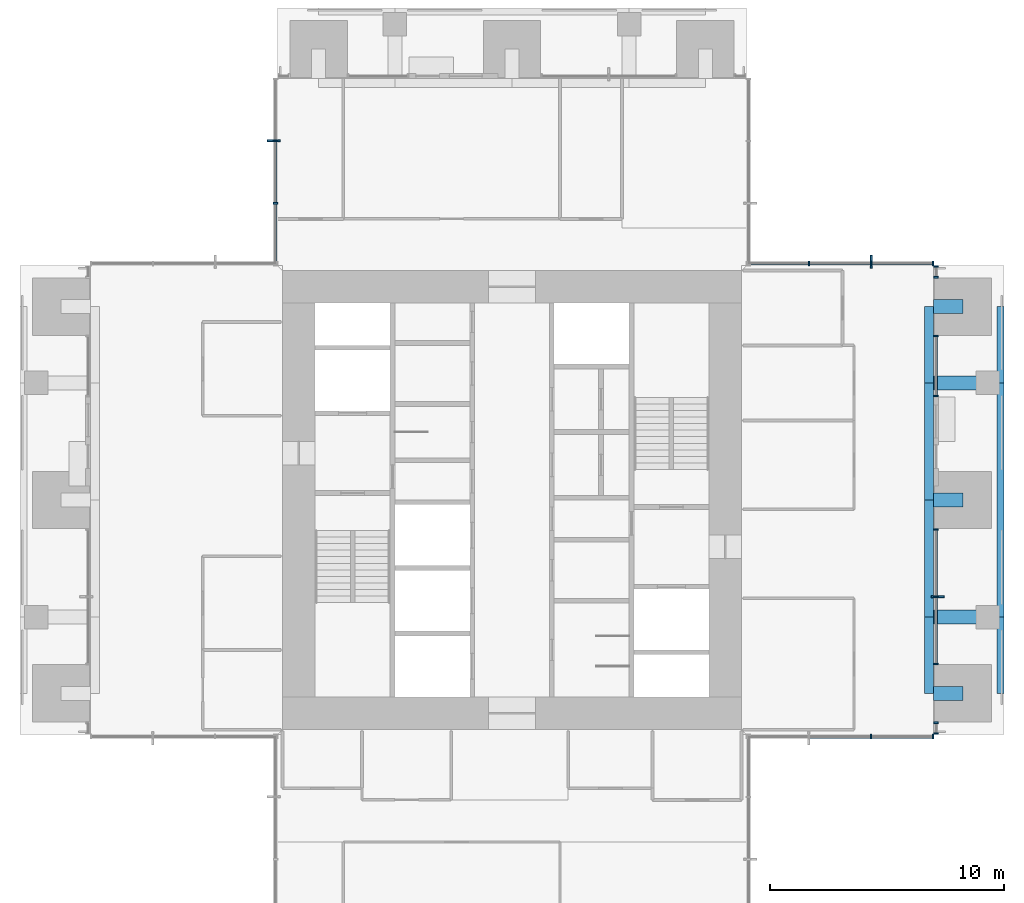
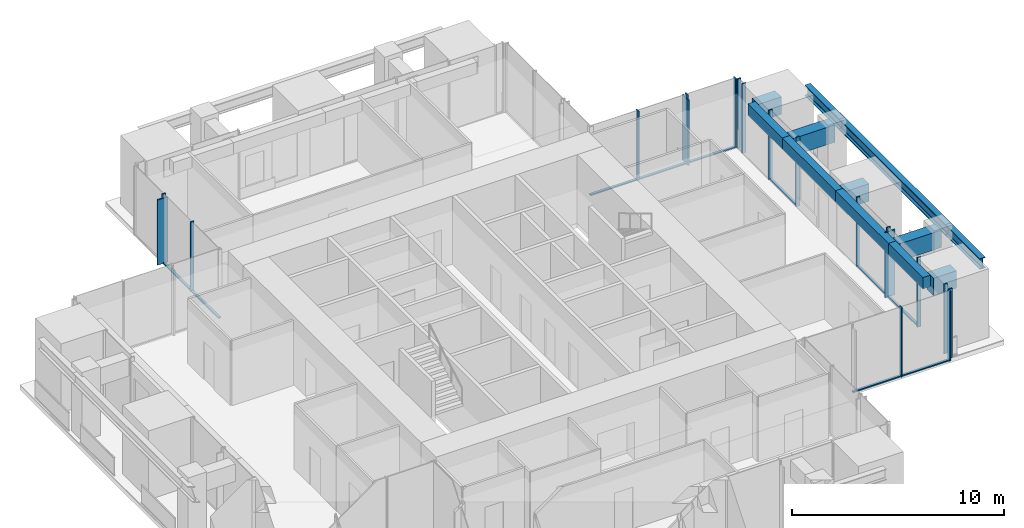
# One storey, part 4 of 17: 29 members, 12 beams, 7 elements without a shape of their own.
"""IFC4 building model written with IfcOpenShell, lengths in metres."""

from ifc_helpers import new_model, si_unit, direction, frame, origin, origin_2d, place, context, subcontext, project, spatial, rectangle, i_section, extrude, material, material_profile, profile_set, type_object, element, aggregate, save


model = new_model("IFC4")

# Units and contexts
model_context = context("Model", 3, precision=1e-05, world=origin(), true_north=direction((0.0, 1.0)))
body_context = subcontext(model_context, "Body", "Model", "MODEL_VIEW")
ifc_project = project(units=[si_unit("LENGTHUNIT", "METRE"), si_unit("AREAUNIT", "SQUARE_METRE"), si_unit("VOLUMEUNIT", "CUBIC_METRE"), si_unit("PLANEANGLEUNIT", "RADIAN"), si_unit("MASSUNIT", "GRAM", prefix="KILO")], contexts=[model_context])

# Site, building, storey
site_placement = place(None, origin())
site = spatial("IfcSite", under=ifc_project, at=site_placement, CompositionType="ELEMENT")
building_placement = place(site_placement, origin())
building = spatial("IfcBuilding", under=site, at=building_placement, Name="Svetlomir Tower", CompositionType="ELEMENT")
storey_placement = place(building_placement, frame((0.0, 0.0, 190.5)))
storey = spatial("IfcBuildingStorey", under=building, at=storey_placement, Name="L45", CompositionType="ELEMENT", Elevation=190.5)

# Curtain wall, member
ifc_material_1 = material(Name="Bronze anodised aluminium curtain wall", Category="aluminium")
curtain_wall_type = type_object("IfcCurtainWallType", Name="CURTAIN WALL CW1 TOWER OFFICE", PredefinedType="NOTDEFINED", material=ifc_material_1)
curtain_wall_1_placement = place(storey_placement, origin())
curtain_wall_1 = element("IfcCurtainWall", 1, at=curtain_wall_1_placement, inside=storey, type_object=curtain_wall_type, Name="Curtain wall CW1 L45", PredefinedType="NOTDEFINED")
ifc_material_2 = material(Name="Bronze anodised aluminium", Category="aluminium")
ifc_material_profile_1 = material_profile(ifc_material_2, rectangle(XDim=0.080078125, YDim=0.550048828125, at=origin_2d()), Name="FIN 80x550")
ifc_profile_set_1 = profile_set([ifc_material_profile_1], Name="Bronze anodised aluminium 6063-T6")
member_type_1 = type_object("IfcMemberType", Name="BRONZE FIN 80x550", PredefinedType="USERDEFINED", material=ifc_profile_set_1)
member_1_placement = place(storey_placement, frame((39.175048828125, 16.875, 0.0), z_axis=(0.0, 0.0, 1.0), x_axis=(0.0, 1.0, 0.0)))
member_1 = element("IfcMember", 2, at=member_1_placement, type_object=member_type_1, Name="Bronze fin L45", ObjectType="FIN", PredefinedType="USERDEFINED", context=body_context, shape_type="SweptSolid", body=[
    extrude(rectangle(XDim=0.080078125, YDim=0.550048828125, at=origin_2d()), origin(), (0.0, 0.0, 1.0), 3.75),
])

curtain_wall_2_placement = place(storey_placement, origin())
curtain_wall_2 = element("IfcCurtainWall", 3, at=curtain_wall_2_placement, inside=storey, type_object=curtain_wall_type, Name="Curtain wall CW1 L45", PredefinedType="NOTDEFINED")
member_2_placement = place(storey_placement, frame((36.333251953125, 31.175048828125, 0.0), z_axis=(0.0, 0.0, 1.0), x_axis=(1.0, 0.0, 0.0)))
member_2 = element("IfcMember", 4, at=member_2_placement, type_object=member_type_1, Name="Bronze fin L45", ObjectType="FIN", PredefinedType="USERDEFINED", context=body_context, shape_type="SweptSolid", body=[
    extrude(rectangle(XDim=0.080078125, YDim=0.550048828125, at=origin_2d()), origin(), (0.0, 0.0, 1.0), 3.75),
])

curtain_wall_3_placement = place(storey_placement, origin())
curtain_wall_3 = element("IfcCurtainWall", 5, at=curtain_wall_3_placement, inside=storey, type_object=curtain_wall_type, Name="Curtain wall CW1 L45", PredefinedType="NOTDEFINED")
member_3_placement = place(storey_placement, frame((10.824951171875, 36.333251953125, 0.0), z_axis=(0.0, 0.0, 1.0), x_axis=(0.0, 1.0, 0.0)))
member_3 = element("IfcMember", 6, at=member_3_placement, type_object=member_type_1, Name="Bronze fin L45", ObjectType="FIN", PredefinedType="USERDEFINED", context=body_context, shape_type="SweptSolid", body=[
    extrude(rectangle(XDim=0.080078125, YDim=0.550048828125, at=origin_2d()), origin(), (0.0, 0.0, 1.0), 3.75),
])

# Curtain wall, members
curtain_wall_4_placement = place(storey_placement, origin())
curtain_wall_4 = element("IfcCurtainWall", 7, at=curtain_wall_4_placement, inside=storey, type_object=curtain_wall_type, Name="Curtain wall CW1 L45", PredefinedType="NOTDEFINED")
ifc_material_3 = material(Name="Bronze anodised aluminium", Category="aluminium")
ifc_material_profile_2 = material_profile(ifc_material_3, rectangle(XDim=0.06494140625, YDim=0.199951171875, at=origin_2d()), Name="AL 65x200")
ifc_profile_set_2 = profile_set([ifc_material_profile_2], Name="Bronze anodised aluminium 6063-T6")
member_type_2 = type_object("IfcMemberType", Name="CW1 MULLION 65x200", PredefinedType="MULLION", material=ifc_profile_set_2)
member_4_placement = place(storey_placement, frame((36.333251953125, 10.89990234375, 0.0), z_axis=(0.0, 0.0, 1.0), x_axis=(1.0, 0.0, 0.0)))
member_4 = element("IfcMember", 8, at=member_4_placement, type_object=member_type_2, Name="CW1 mullion 3", PredefinedType="MULLION", context=body_context, shape_type="SweptSolid", body=[
    extrude(rectangle(XDim=0.06494140625, YDim=0.199951171875, at=origin_2d()), origin(), (0.0, 0.0, 1.0), 4.0),
])
member_5_placement = place(storey_placement, frame((38.967529296875, 10.89990234375, 0.0), z_axis=(0.0, 0.0, 1.0), x_axis=(1.0, 0.0, 0.0)))
member_5 = element("IfcMember", 9, at=member_5_placement, type_object=member_type_2, Name="CW1 mullion 4", PredefinedType="MULLION", context=body_context, shape_type="SweptSolid", body=[
    extrude(rectangle(XDim=0.06494140625, YDim=0.199951171875, at=origin_2d()), origin(), (0.0, 0.0, 1.0), 4.0),
])

curtain_wall_5_placement = place(storey_placement, origin())
curtain_wall_5 = element("IfcCurtainWall", 10, at=curtain_wall_5_placement, inside=storey, type_object=curtain_wall_type, Name="Curtain wall CW1 L45", PredefinedType="NOTDEFINED")
member_6_placement = place(storey_placement, frame((39.10009765625, 11.032470703125, 0.0), z_axis=(0.0, 0.0, 1.0), x_axis=(0.0, 1.0, 0.0)))
member_6 = element("IfcMember", 11, at=member_6_placement, type_object=member_type_2, Name="CW1 mullion 1", PredefinedType="MULLION", context=body_context, shape_type="SweptSolid", body=[
    extrude(rectangle(XDim=0.06494140625, YDim=0.199951171875, at=origin_2d()), origin(), (0.0, 0.0, 1.0), 4.0),
])
member_7_placement = place(storey_placement, frame((39.10009765625, 11.492431640625, 0.0), z_axis=(0.0, 0.0, 1.0), x_axis=(0.0, 1.0, 0.0)))
member_7 = element("IfcMember", 12, at=member_7_placement, type_object=member_type_2, Name="CW1 mullion 2", PredefinedType="MULLION", context=body_context, shape_type="SweptSolid", body=[
    extrude(rectangle(XDim=0.06494140625, YDim=0.199951171875, at=origin_2d()), origin(), (0.0, 0.0, 1.0), 4.0),
])
aggregate(curtain_wall_5, [member_6, member_7])

# Member
member_8_placement = place(storey_placement, frame((39.10009765625, 14.007568359375, 0.0), z_axis=(0.0, 0.0, 1.0), x_axis=(0.0, 1.0, 0.0)))
member_8 = element("IfcMember", 13, at=member_8_placement, type_object=member_type_2, Name="CW1 mullion 1", PredefinedType="MULLION", context=body_context, shape_type="SweptSolid", body=[
    extrude(rectangle(XDim=0.06494140625, YDim=0.199951171875, at=origin_2d()), origin(), (0.0, 0.0, 1.0), 4.0),
])

member_9_placement = place(storey_placement, frame((39.10009765625, 16.875, 0.0), z_axis=(0.0, 0.0, 1.0), x_axis=(0.0, 1.0, 0.0)))
member_9 = element("IfcMember", 14, at=member_9_placement, type_object=member_type_2, Name="CW1 mullion 2", PredefinedType="MULLION", context=body_context, shape_type="SweptSolid", body=[
    extrude(rectangle(XDim=0.06494140625, YDim=0.199951171875, at=origin_2d()), origin(), (0.0, 0.0, 1.0), 4.0),
])

member_10_placement = place(storey_placement, frame((39.10009765625, 19.742431640625, 0.0), z_axis=(0.0, 0.0, 1.0), x_axis=(0.0, 1.0, 0.0)))
member_10 = element("IfcMember", 15, at=member_10_placement, type_object=member_type_2, Name="CW1 mullion 3", PredefinedType="MULLION", context=body_context, shape_type="SweptSolid", body=[
    extrude(rectangle(XDim=0.06494140625, YDim=0.199951171875, at=origin_2d()), origin(), (0.0, 0.0, 1.0), 4.0),
])

# Curtain wall, members
curtain_wall_6_placement = place(storey_placement, origin())
curtain_wall_6 = element("IfcCurtainWall", 16, at=curtain_wall_6_placement, inside=storey, type_object=curtain_wall_type, Name="Curtain wall CW1 L45", PredefinedType="NOTDEFINED")
member_11_placement = place(storey_placement, frame((39.10009765625, 25.4326171875, 0.0), z_axis=(0.0, 0.0, 1.0), x_axis=(0.0, 1.0, 0.0)))
member_11 = element("IfcMember", 17, at=member_11_placement, type_object=member_type_2, Name="CW1 mullion 1", PredefinedType="MULLION", context=body_context, shape_type="SweptSolid", body=[
    extrude(rectangle(XDim=0.06494140625, YDim=0.199951171875, at=origin_2d()), origin(), (0.0, 0.0, 1.0), 4.0),
])
member_12_placement = place(storey_placement, frame((39.10009765625, 27.992431640625, 0.0), z_axis=(0.0, 0.0, 1.0), x_axis=(0.0, 1.0, 0.0)))
member_12 = element("IfcMember", 18, at=member_12_placement, type_object=member_type_2, Name="CW1 mullion 2", PredefinedType="MULLION", context=body_context, shape_type="SweptSolid", body=[
    extrude(rectangle(XDim=0.06494140625, YDim=0.199951171875, at=origin_2d()), origin(), (0.0, 0.0, 1.0), 4.0),
])

curtain_wall_7_placement = place(storey_placement, origin())
curtain_wall_7 = element("IfcCurtainWall", 19, at=curtain_wall_7_placement, inside=storey, type_object=curtain_wall_type, Name="Curtain wall CW1 L45", PredefinedType="NOTDEFINED")
member_13_placement = place(storey_placement, frame((39.10009765625, 30.507568359375, 0.0), z_axis=(0.0, 0.0, 1.0), x_axis=(0.0, 1.0, 0.0)))
member_13 = element("IfcMember", 20, at=member_13_placement, type_object=member_type_2, Name="CW1 mullion 1", PredefinedType="MULLION", context=body_context, shape_type="SweptSolid", body=[
    extrude(rectangle(XDim=0.06494140625, YDim=0.199951171875, at=origin_2d()), origin(), (0.0, 0.0, 1.0), 4.0),
])
member_14_placement = place(storey_placement, frame((39.10009765625, 30.967529296875, 0.0), z_axis=(0.0, 0.0, 1.0), x_axis=(0.0, 1.0, 0.0)))
member_14 = element("IfcMember", 21, at=member_14_placement, type_object=member_type_2, Name="CW1 mullion 2", PredefinedType="MULLION", context=body_context, shape_type="SweptSolid", body=[
    extrude(rectangle(XDim=0.06494140625, YDim=0.199951171875, at=origin_2d()), origin(), (0.0, 0.0, 1.0), 4.0),
])
aggregate(curtain_wall_7, [member_13, member_14])

# Member
member_15_placement = place(storey_placement, frame((38.967529296875, 31.10009765625, 0.0), z_axis=(0.0, 0.0, 1.0), x_axis=(-1.0, 0.0, 0.0)))
member_15 = element("IfcMember", 22, at=member_15_placement, type_object=member_type_2, Name="CW1 mullion 1", PredefinedType="MULLION", context=body_context, shape_type="SweptSolid", body=[
    extrude(rectangle(XDim=0.06494140625, YDim=0.199951171875, at=origin_2d()), origin(), (0.0, 0.0, 1.0), 4.0),
])

member_16_placement = place(storey_placement, frame((36.333251953125, 31.10009765625, 0.0), z_axis=(0.0, 0.0, 1.0), x_axis=(-1.0, 0.0, 0.0)))
member_16 = element("IfcMember", 23, at=member_16_placement, type_object=member_type_2, Name="CW1 mullion 2", PredefinedType="MULLION", context=body_context, shape_type="SweptSolid", body=[
    extrude(rectangle(XDim=0.06494140625, YDim=0.199951171875, at=origin_2d()), origin(), (0.0, 0.0, 1.0), 4.0),
])

member_17_placement = place(storey_placement, frame((33.666748046875, 31.10009765625, 0.0), z_axis=(0.0, 0.0, 1.0), x_axis=(-1.0, 0.0, 0.0)))
member_17 = element("IfcMember", 24, at=member_17_placement, type_object=member_type_2, Name="CW1 mullion 3", PredefinedType="MULLION", context=body_context, shape_type="SweptSolid", body=[
    extrude(rectangle(XDim=0.06494140625, YDim=0.199951171875, at=origin_2d()), origin(), (0.0, 0.0, 1.0), 4.0),
])

member_18_placement = place(storey_placement, frame((10.89990234375, 36.333251953125, 0.0), z_axis=(0.0, 0.0, 1.0), x_axis=(0.0, -1.0, 0.0)))
member_18 = element("IfcMember", 25, at=member_18_placement, type_object=member_type_2, Name="CW1 mullion 2", PredefinedType="MULLION", context=body_context, shape_type="SweptSolid", body=[
    extrude(rectangle(XDim=0.06494140625, YDim=0.199951171875, at=origin_2d()), origin(), (0.0, 0.0, 1.0), 4.0),
])

member_19_placement = place(storey_placement, frame((10.89990234375, 33.666748046875, 0.0), z_axis=(0.0, 0.0, 1.0), x_axis=(0.0, -1.0, 0.0)))
member_19 = element("IfcMember", 26, at=member_19_placement, type_object=member_type_2, Name="CW1 mullion 3", PredefinedType="MULLION", context=body_context, shape_type="SweptSolid", body=[
    extrude(rectangle(XDim=0.06494140625, YDim=0.199951171875, at=origin_2d()), origin(), (0.0, 0.0, 1.0), 4.0),
])

ifc_material_4 = material(Name="Bronze anodised aluminium", Category="aluminium")
ifc_material_profile_3 = material_profile(ifc_material_4, rectangle(XDim=0.139892578125, YDim=0.06494140625, at=origin_2d()), Name="AL 140x65")
ifc_profile_set_3 = profile_set([ifc_material_profile_3], Name="Bronze anodised aluminium 6063-T6")
member_type_3 = type_object("IfcMemberType", Name="CW1 TRANSOM 65x140", PredefinedType="USERDEFINED", material=ifc_profile_set_3)
member_20_placement = place(storey_placement, frame((33.69921875, 10.89990234375, 0.032470703125), z_axis=(1.0, 0.0, 0.0), x_axis=(0.0, 1.0, 0.0)))
member_20 = element("IfcMember", 27, at=member_20_placement, type_object=member_type_3, Name="CW1 transom 2.1", ObjectType="TRANSOM", PredefinedType="USERDEFINED", context=body_context, shape_type="SweptSolid", body=[
    extrude(rectangle(XDim=0.139892578125, YDim=0.06494140625, at=origin_2d()), origin(), (0.0, 0.0, 1.0), 2.6015625),
])

member_21_placement = place(storey_placement, frame((36.36572265625, 10.89990234375, 0.032470703125), z_axis=(1.0, 0.0, 0.0), x_axis=(0.0, 1.0, 0.0)))
member_21 = element("IfcMember", 28, at=member_21_placement, type_object=member_type_3, Name="CW1 transom 3.1", ObjectType="TRANSOM", PredefinedType="USERDEFINED", context=body_context, shape_type="SweptSolid", body=[
    extrude(rectangle(XDim=0.139892578125, YDim=0.06494140625, at=origin_2d()), origin(), (0.0, 0.0, 1.0), 2.5693359375),
])

aggregate(curtain_wall_4, [member_4, member_5, member_20, member_21])

member_22_placement = place(storey_placement, frame((39.10009765625, 14.0400390625, 0.032470703125), z_axis=(0.0, 1.0, 0.0), x_axis=(-1.0, 0.0, 0.0)))
member_22 = element("IfcMember", 29, at=member_22_placement, type_object=member_type_3, Name="CW1 transom 1.1", ObjectType="TRANSOM", PredefinedType="USERDEFINED", context=body_context, shape_type="SweptSolid", body=[
    extrude(rectangle(XDim=0.139892578125, YDim=0.06494140625, at=origin_2d()), origin(), (0.0, 0.0, 1.0), 2.802490234375),
])

member_23_placement = place(storey_placement, frame((39.10009765625, 16.907470703125, 0.032470703125), z_axis=(0.0, 1.0, 0.0), x_axis=(-1.0, 0.0, 0.0)))
member_23 = element("IfcMember", 30, at=member_23_placement, type_object=member_type_3, Name="CW1 transom 2.1", ObjectType="TRANSOM", PredefinedType="USERDEFINED", context=body_context, shape_type="SweptSolid", body=[
    extrude(rectangle(XDim=0.139892578125, YDim=0.06494140625, at=origin_2d()), origin(), (0.0, 0.0, 1.0), 2.802490234375),
])

aggregate(curtain_wall_1, [member_8, member_9, member_10, member_22, member_23, member_1])

member_24_placement = place(storey_placement, frame((39.10009765625, 25.465087890625, 0.032470703125), z_axis=(0.0, 1.0, 0.0), x_axis=(-1.0, 0.0, 0.0)))
member_24 = element("IfcMember", 31, at=member_24_placement, type_object=member_type_3, Name="CW1 transom 1.1", ObjectType="TRANSOM", PredefinedType="USERDEFINED", context=body_context, shape_type="SweptSolid", body=[
    extrude(rectangle(XDim=0.139892578125, YDim=0.06494140625, at=origin_2d()), origin(), (0.0, 0.0, 1.0), 2.494873046875),
])

aggregate(curtain_wall_6, [member_11, member_12, member_24])

member_25_placement = place(storey_placement, frame((38.93505859375, 31.10009765625, 0.032470703125), z_axis=(-1.0, 0.0, 0.0), x_axis=(0.0, -1.0, 0.0)))
member_25 = element("IfcMember", 32, at=member_25_placement, type_object=member_type_3, Name="CW1 transom 1.1", ObjectType="TRANSOM", PredefinedType="USERDEFINED", context=body_context, shape_type="SweptSolid", body=[
    extrude(rectangle(XDim=0.139892578125, YDim=0.06494140625, at=origin_2d()), origin(), (0.0, 0.0, 1.0), 2.5693359375),
])

member_26_placement = place(storey_placement, frame((36.30078125, 31.10009765625, 0.032470703125), z_axis=(-1.0, 0.0, 0.0), x_axis=(0.0, -1.0, 0.0)))
member_26 = element("IfcMember", 33, at=member_26_placement, type_object=member_type_3, Name="CW1 transom 2.1", ObjectType="TRANSOM", PredefinedType="USERDEFINED", context=body_context, shape_type="SweptSolid", body=[
    extrude(rectangle(XDim=0.139892578125, YDim=0.06494140625, at=origin_2d()), origin(), (0.0, 0.0, 1.0), 2.6015625),
])

member_27_placement = place(storey_placement, frame((33.63427734375, 31.10009765625, 0.032470703125), z_axis=(-1.0, 0.0, 0.0), x_axis=(0.0, -1.0, 0.0)))
member_27 = element("IfcMember", 34, at=member_27_placement, type_object=member_type_3, Name="CW1 transom 3.1", ObjectType="TRANSOM", PredefinedType="USERDEFINED", context=body_context, shape_type="SweptSolid", body=[
    extrude(rectangle(XDim=0.139892578125, YDim=0.06494140625, at=origin_2d()), origin(), (0.0, 0.0, 1.0), 2.5693359375),
])

aggregate(curtain_wall_2, [member_15, member_16, member_17, member_25, member_26, member_27, member_2])

member_28_placement = place(storey_placement, frame((10.89990234375, 36.30078125, 0.032470703125), z_axis=(0.0, -1.0, 0.0), x_axis=(1.0, 0.0, 0.0)))
member_28 = element("IfcMember", 35, at=member_28_placement, type_object=member_type_3, Name="CW1 transom 2.1", ObjectType="TRANSOM", PredefinedType="USERDEFINED", context=body_context, shape_type="SweptSolid", body=[
    extrude(rectangle(XDim=0.139892578125, YDim=0.06494140625, at=origin_2d()), origin(), (0.0, 0.0, 1.0), 2.6015625),
])

member_29_placement = place(storey_placement, frame((10.89990234375, 33.63427734375, 0.032470703125), z_axis=(0.0, -1.0, 0.0), x_axis=(1.0, 0.0, 0.0)))
member_29 = element("IfcMember", 36, at=member_29_placement, type_object=member_type_3, Name="CW1 transom 3.1", ObjectType="TRANSOM", PredefinedType="USERDEFINED", context=body_context, shape_type="SweptSolid", body=[
    extrude(rectangle(XDim=0.139892578125, YDim=0.06494140625, at=origin_2d()), origin(), (0.0, 0.0, 1.0), 2.5693359375),
])

aggregate(curtain_wall_3, [member_18, member_19, member_28, member_29, member_3])

# Beams
ifc_material_5 = material(Name="Steel S355", Category="steel")
ifc_material_profile_4 = material_profile(ifc_material_5, i_section(OverallWidth=0.304931640625, OverallDepth=0.6201171875, WebThickness=0.02099609375, FlangeThickness=0.0400390625, FilletRadius=0.027099609375, at=origin_2d()), Name="HEM 600")
ifc_profile_set_4 = profile_set([ifc_material_profile_4], Name="Steel S355")
beam_type_1 = type_object("IfcBeamType", Name="EDGE BEAM HEM 600", PredefinedType="SPANDREL", material=ifc_profile_set_4)
beam_1_placement = place(storey_placement, frame((41.847412109375, 12.75, 3.43994140625), z_axis=(0.0, 1.0, 0.0), x_axis=(-1.0, 0.0, 0.0)))
element("IfcBeam", 37, at=beam_1_placement, inside=storey, type_object=beam_type_1, Name="Edge beam 42/11 to 42/16 under L46", PredefinedType="SPANDREL", context=body_context, shape_type="SweptSolid", body=[
    extrude(i_section(OverallWidth=0.304931640625, OverallDepth=0.6201171875, WebThickness=0.02099609375, FlangeThickness=0.0400390625, FilletRadius=0.027099609375, at=origin_2d()), origin(), (0.0, 0.0, 1.0), 3.25),
])
beam_2_placement = place(storey_placement, frame((41.847412109375, 16.0, 3.43994140625), z_axis=(0.0, 1.0, 0.0), x_axis=(-1.0, 0.0, 0.0)))
element("IfcBeam", 38, at=beam_2_placement, inside=storey, type_object=beam_type_1, Name="Edge beam 42/16 to 42/26 under L46", PredefinedType="SPANDREL", context=body_context, shape_type="SweptSolid", body=[
    extrude(i_section(OverallWidth=0.304931640625, OverallDepth=0.6201171875, WebThickness=0.02099609375, FlangeThickness=0.0400390625, FilletRadius=0.027099609375, at=origin_2d()), origin(), (0.0, 0.0, 1.0), 10.0),
])
beam_3_placement = place(storey_placement, frame((41.847412109375, 26.0, 3.43994140625), z_axis=(0.0, 1.0, 0.0), x_axis=(-1.0, 0.0, 0.0)))
element("IfcBeam", 39, at=beam_3_placement, inside=storey, type_object=beam_type_1, Name="Edge beam 42/26 to 42/31 under L46", PredefinedType="SPANDREL", context=body_context, shape_type="SweptSolid", body=[
    extrude(i_section(OverallWidth=0.304931640625, OverallDepth=0.6201171875, WebThickness=0.02099609375, FlangeThickness=0.0400390625, FilletRadius=0.027099609375, at=origin_2d()), origin(), (0.0, 0.0, 1.0), 3.25),
])
ifc_material_6 = material(Name="Concrete C60/75", Category="concrete")
ifc_material_profile_5 = material_profile(ifc_material_6, rectangle(XDim=0.39990234375, YDim=0.64990234375, at=origin_2d()), Name="RC 400x650")
ifc_profile_set_5 = profile_set([ifc_material_profile_5], Name="Concrete C60/75")
beam_type_2 = type_object("IfcBeamType", Name="FACADE EDGE BEAM RC 400x650", PredefinedType="BEAM", material=ifc_profile_set_5)
beam_4_placement = place(storey_placement, frame((38.800048828125, 12.75, 3.425048828125), z_axis=(0.0, 1.0, 0.0), x_axis=(-1.0, 0.0, 0.0)))
element("IfcBeam", 40, at=beam_4_placement, inside=storey, type_object=beam_type_2, Name="Facade edge beam E 11 to 16 under L46", PredefinedType="BEAM", context=body_context, shape_type="SweptSolid", body=[
    extrude(rectangle(XDim=0.39990234375, YDim=0.64990234375, at=origin_2d()), origin(), (0.0, 0.0, 1.0), 3.25),
])
for number, where, z_axis, x_axis, name in (
    (41, (38.800048828125, 16.0, 3.425048828125), (0.0, 1.0, 0.0), (-1.0, 0.0, 0.0), "Facade edge beam E 16 to 21 under L46"),
    (42, (38.800048828125, 21.0, 3.425048828125), (0.0, 1.0, 0.0), (-1.0, 0.0, 0.0), "Facade edge beam E 21 to 26 under L46"),
):
    element("IfcBeam", number, at=place(storey_placement, frame(where, z_axis=z_axis, x_axis=x_axis)), inside=storey, type_object=beam_type_2, Name=name, PredefinedType="BEAM", context=body_context, shape_type="SweptSolid", body=[
        extrude(rectangle(XDim=0.39990234375, YDim=0.64990234375, at=origin_2d()), origin(), (0.0, 0.0, 1.0), 5.0),
    ])
beam_5_placement = place(storey_placement, frame((38.800048828125, 26.0, 3.425048828125), z_axis=(0.0, 1.0, 0.0), x_axis=(-1.0, 0.0, 0.0)))
element("IfcBeam", 43, at=beam_5_placement, inside=storey, type_object=beam_type_2, Name="Facade edge beam E 26 to 31 under L46", PredefinedType="BEAM", context=body_context, shape_type="SweptSolid", body=[
    extrude(rectangle(XDim=0.39990234375, YDim=0.64990234375, at=origin_2d()), origin(), (0.0, 0.0, 1.0), 3.25),
])
ifc_material_7 = material(Name="Concrete C60/75", Category="concrete")
ifc_material_profile_6 = material_profile(ifc_material_7, rectangle(XDim=0.60009765625, YDim=1.0, at=origin_2d()), Name="RC 600x1000")
ifc_profile_set_6 = profile_set([ifc_material_profile_6], Name="Concrete C60/75")
beam_type_3 = type_object("IfcBeamType", Name="LOGGIA LINK BEAM RC 600x1000", PredefinedType="BEAM", material=ifc_profile_set_6)
beam_6_placement = place(storey_placement, frame((40.25, 12.75, 3.25), z_axis=(-1.0, 0.0, 0.0), x_axis=(0.0, -1.0, 0.0)))
element("IfcBeam", 44, at=beam_6_placement, inside=storey, type_object=beam_type_3, Name="Loggia link beam E 11 under L46", PredefinedType="BEAM", context=body_context, shape_type="SweptSolid", body=[
    extrude(rectangle(XDim=0.60009765625, YDim=1.0, at=origin_2d()), origin(), (0.0, 0.0, 1.0), 1.25),
])
beam_7_placement = place(storey_placement, frame((41.300048828125, 16.0, 3.25), z_axis=(-1.0, 0.0, 0.0), x_axis=(0.0, -1.0, 0.0)))
element("IfcBeam", 45, at=beam_7_placement, inside=storey, type_object=beam_type_3, Name="Loggia link beam E 16 under L46", PredefinedType="BEAM", context=body_context, shape_type="SweptSolid", body=[
    extrude(rectangle(XDim=0.60009765625, YDim=1.0, at=origin_2d()), origin(), (0.0, 0.0, 1.0), 2.300048828125),
])
beam_8_placement = place(storey_placement, frame((40.25, 21.0, 3.25), z_axis=(-1.0, 0.0, 0.0), x_axis=(0.0, -1.0, 0.0)))
element("IfcBeam", 46, at=beam_8_placement, inside=storey, type_object=beam_type_3, Name="Loggia link beam E 21 under L46", PredefinedType="BEAM", context=body_context, shape_type="SweptSolid", body=[
    extrude(rectangle(XDim=0.60009765625, YDim=1.0, at=origin_2d()), origin(), (0.0, 0.0, 1.0), 1.25),
])
beam_9_placement = place(storey_placement, frame((41.300048828125, 26.0, 3.25), z_axis=(-1.0, 0.0, 0.0), x_axis=(0.0, -1.0, 0.0)))
element("IfcBeam", 47, at=beam_9_placement, inside=storey, type_object=beam_type_3, Name="Loggia link beam E 26 under L46", PredefinedType="BEAM", context=body_context, shape_type="SweptSolid", body=[
    extrude(rectangle(XDim=0.60009765625, YDim=1.0, at=origin_2d()), origin(), (0.0, 0.0, 1.0), 2.300048828125),
])
beam_10_placement = place(storey_placement, frame((40.25, 29.25, 3.25), z_axis=(-1.0, 0.0, 0.0), x_axis=(0.0, -1.0, 0.0)))
element("IfcBeam", 48, at=beam_10_placement, inside=storey, type_object=beam_type_3, Name="Loggia link beam E 31 under L46", PredefinedType="BEAM", context=body_context, shape_type="SweptSolid", body=[
    extrude(rectangle(XDim=0.60009765625, YDim=1.0, at=origin_2d()), origin(), (0.0, 0.0, 1.0), 1.25),
])

save(model, "model.ifc")
